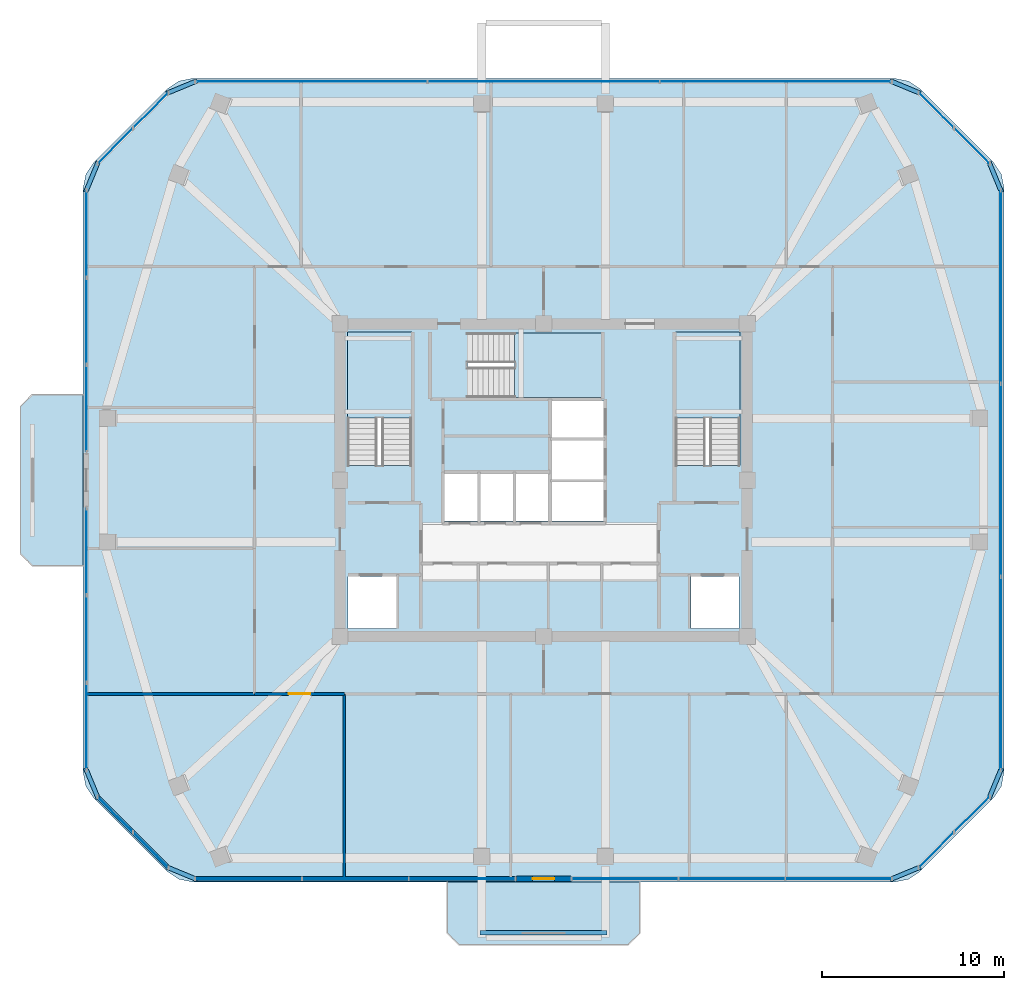
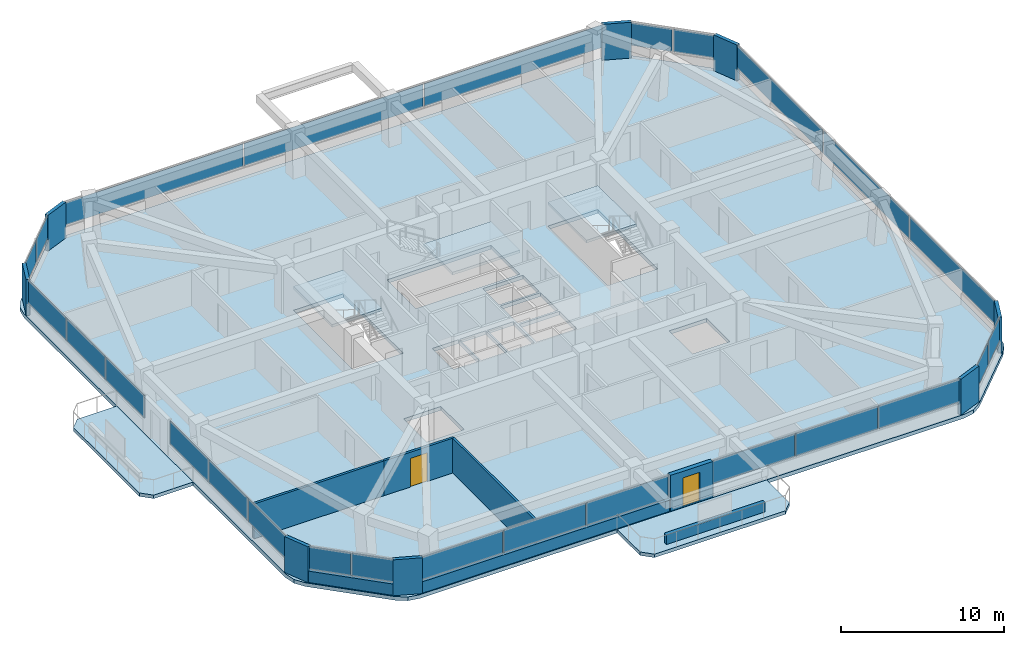
# One storey, part 7 of 13: 34 plates, 7 walls, 6 slabs, 2 doors, 2 openings, 13 elements without a shape of their own.
"""IFC4 building model written with IfcOpenShell, lengths in metres."""

from ifc_helpers import new_model, si_unit, derived_unit, direction, frame, frame_2d, origin, origin_2d, place, context, subcontext, project, spatial, polyline, rectangle, outline, extrude, material, layer, layer_set, type_object, element, fill, aggregate, save


model = new_model("IFC4")

# Units and contexts
model_context = context("Model", 3, precision=1e-05, world=origin(), true_north=direction((0.0, 1.0)))
body_context = subcontext(model_context, "Body", "Model", "MODEL_VIEW")
ifc_project = project(units=[si_unit("LENGTHUNIT", "METRE"), si_unit("AREAUNIT", "SQUARE_METRE"), si_unit("VOLUMEUNIT", "CUBIC_METRE"), si_unit("PLANEANGLEUNIT", "RADIAN"), si_unit("MASSUNIT", "GRAM", prefix="KILO"), derived_unit("THERMALTRANSMITTANCEUNIT", [(si_unit("POWERUNIT", "WATT"), 1), (si_unit("LENGTHUNIT", "METRE"), -2), (si_unit("THERMODYNAMICTEMPERATUREUNIT", "KELVIN"), -1)])], contexts=[model_context])

# Site, building, storey
site_placement = place(None, origin())
site = spatial("IfcSite", under=ifc_project, at=site_placement, CompositionType="ELEMENT")
building_placement = place(site_placement, origin())
building = spatial("IfcBuilding", under=site, at=building_placement, Name="Koralith Skygarden Medical Center", CompositionType="ELEMENT")
storey_placement = place(building_placement, frame((0.0, 0.0, 199.97998046875)))
storey = spatial("IfcBuildingStorey", under=building, at=storey_placement, Name="L51", CompositionType="ELEMENT", Elevation=199.97998046875)

# Curtain wall, plates
ifc_material_1 = material(Name="Clear Laminated Glass", Category="glass")
curtain_wall_type = type_object("IfcCurtainWallType", Name="CW-5 Zone 4 Flare Biophilic Curtain Wall", PredefinedType="NOTDEFINED", material=ifc_material_1)
curtain_wall_1_placement = place(storey_placement, origin())
curtain_wall_1 = element("IfcCurtainWall", 1, at=curtain_wall_1_placement, inside=storey, type_object=curtain_wall_type, Name="Curtain Wall CW-L51-S-L", PredefinedType="NOTDEFINED")
ifc_layer_1 = layer(ifc_material_1, 0.0380859375)
ifc_layer_set_1 = layer_set([ifc_layer_1], Name="Clear Laminated Glass")
plate_type_1 = type_object("IfcPlateType", Name="CW-5 Hurricane Laminated IGU Panel 38", PredefinedType="CURTAIN_PANEL", material=ifc_layer_set_1)
plate_1_placement = place(storey_placement, frame((20.76611328125, 3.97412109375, 0.919921875), z_axis=(0.0, 0.0, 1.0), x_axis=(1.0, 0.0, 0.0)))
plate_1 = element("IfcPlate", 2, at=plate_1_placement, type_object=plate_type_1, Name="CW-L51-S-L Glazed Panel 1", PredefinedType="CURTAIN_PANEL", context=body_context, shape_type="SweptSolid", body=[
    extrude(rectangle(XDim=5.787109375, YDim=0.0380859375, at=origin_2d()), origin(), (0.0, 0.0, 1.0), 1.699951171875),
])
plate_2_placement = place(storey_placement, frame((26.64306640625, 3.97412109375, 0.919921875), z_axis=(0.0, 0.0, 1.0), x_axis=(1.0, 0.0, 0.0)))
plate_2 = element("IfcPlate", 3, at=plate_2_placement, type_object=plate_type_1, Name="CW-L51-S-L Glazed Panel 2", PredefinedType="CURTAIN_PANEL", context=body_context, shape_type="SweptSolid", body=[
    extrude(rectangle(XDim=5.787109375, YDim=0.0380859375, at=origin_2d()), origin(), (0.0, 0.0, 1.0), 1.699951171875),
])
plate_3_placement = place(storey_placement, frame((32.52001953125, 3.97412109375, 0.919921875), z_axis=(0.0, 0.0, 1.0), x_axis=(1.0, 0.0, 0.0)))
plate_3 = element("IfcPlate", 4, at=plate_3_placement, type_object=plate_type_1, Name="CW-L51-S-L Glazed Panel 3", PredefinedType="CURTAIN_PANEL", context=body_context, shape_type="SweptSolid", body=[
    extrude(rectangle(XDim=5.787109375, YDim=0.0380859375, at=origin_2d()), origin(), (0.0, 0.0, 1.0), 1.699951171875),
])
aggregate(curtain_wall_1, [plate_1, plate_2, plate_3])

curtain_wall_2_placement = place(storey_placement, origin())
curtain_wall_2 = element("IfcCurtainWall", 5, at=curtain_wall_2_placement, inside=storey, type_object=curtain_wall_type, Name="Curtain Wall CW-L51-S-R", PredefinedType="NOTDEFINED")
plate_4_placement = place(storey_placement, frame((41.47802734375, 3.97412109375, 0.919921875), z_axis=(0.0, 0.0, 1.0), x_axis=(1.0, 0.0, 0.0)))
plate_4 = element("IfcPlate", 6, at=plate_4_placement, type_object=plate_type_1, Name="CW-L51-S-R Glazed Panel 1", PredefinedType="CURTAIN_PANEL", context=body_context, shape_type="SweptSolid", body=[
    extrude(rectangle(XDim=5.7880859375, YDim=0.0380859375, at=origin_2d()), origin(), (0.0, 0.0, 1.0), 1.699951171875),
])
plate_5_placement = place(storey_placement, frame((47.35595703125, 3.97412109375, 0.919921875), z_axis=(0.0, 0.0, 1.0), x_axis=(1.0, 0.0, 0.0)))
plate_5 = element("IfcPlate", 7, at=plate_5_placement, type_object=plate_type_1, Name="CW-L51-S-R Glazed Panel 2", PredefinedType="CURTAIN_PANEL", context=body_context, shape_type="SweptSolid", body=[
    extrude(rectangle(XDim=5.7880859375, YDim=0.0380859375, at=origin_2d()), origin(), (0.0, 0.0, 1.0), 1.699951171875),
])
plate_6_placement = place(storey_placement, frame((53.23388671875, 3.97412109375, 0.919921875), z_axis=(0.0, 0.0, 1.0), x_axis=(1.0, 0.0, 0.0)))
plate_6 = element("IfcPlate", 8, at=plate_6_placement, type_object=plate_type_1, Name="CW-L51-S-R Glazed Panel 3", PredefinedType="CURTAIN_PANEL", context=body_context, shape_type="SweptSolid", body=[
    extrude(rectangle(XDim=5.7880859375, YDim=0.0380859375, at=origin_2d()), origin(), (0.0, 0.0, 1.0), 1.699951171875),
])
aggregate(curtain_wall_2, [plate_4, plate_5, plate_6])

curtain_wall_3_placement = place(storey_placement, origin())
curtain_wall_3 = element("IfcCurtainWall", 9, at=curtain_wall_3_placement, inside=storey, type_object=curtain_wall_type, Name="Curtain Wall CW-L51-SE", PredefinedType="NOTDEFINED")
plate_7_placement = place(storey_placement, frame((58.60498046875, 5.555908203125, 0.919921875), z_axis=(0.0, 0.0, 1.0), x_axis=(0.707106781187, 0.707106781187, 0.0)))
plate_7 = element("IfcPlate", 10, at=plate_7_placement, type_object=plate_type_1, Name="CW-L51-SE Glazed Panel 1", PredefinedType="CURTAIN_PANEL", context=body_context, shape_type="SweptSolid", body=[
    extrude(rectangle(XDim=2.68408203125, YDim=0.0380859375, at=origin_2d()), origin(), (0.0, 0.0, 1.0), 1.699951171875),
])
plate_8_placement = place(storey_placement, frame((60.56591796875, 7.51708984375, 0.919921875), z_axis=(0.0, 0.0, 1.0), x_axis=(0.707106781187, 0.707106781187, 0.0)))
plate_8 = element("IfcPlate", 11, at=plate_8_placement, type_object=plate_type_1, Name="CW-L51-SE Glazed Panel 2", PredefinedType="CURTAIN_PANEL", context=body_context, shape_type="SweptSolid", body=[
    extrude(rectangle(XDim=2.68408203125, YDim=0.0380859375, at=origin_2d()), origin(), (0.0, 0.0, 1.0), 1.699951171875),
])
aggregate(curtain_wall_3, [plate_7, plate_8])

curtain_wall_4_placement = place(storey_placement, origin())
curtain_wall_4 = element("IfcCurtainWall", 12, at=curtain_wall_4_placement, inside=storey, type_object=curtain_wall_type, Name="Curtain Wall CW-L51-E", PredefinedType="NOTDEFINED")
plate_9_placement = place(storey_placement, frame((62.14794921875, 15.26611328125, 0.919921875), z_axis=(0.0, 0.0, 1.0), x_axis=(0.0, 1.0, 0.0)))
plate_9 = element("IfcPlate", 13, at=plate_9_placement, type_object=plate_type_1, Name="CW-L51-E Glazed Panel 1", PredefinedType="CURTAIN_PANEL", context=body_context, shape_type="SweptSolid", body=[
    extrude(rectangle(XDim=10.5439453125, YDim=0.0380859375, at=origin_2d()), origin(), (0.0, 0.0, 1.0), 1.699951171875),
])
plate_10_placement = place(storey_placement, frame((62.14794921875, 25.89990234375, 0.919921875), z_axis=(0.0, 0.0, 1.0), x_axis=(0.0, 1.0, 0.0)))
plate_10 = element("IfcPlate", 14, at=plate_10_placement, type_object=plate_type_1, Name="CW-L51-E Glazed Panel 2", PredefinedType="CURTAIN_PANEL", context=body_context, shape_type="SweptSolid", body=[
    extrude(rectangle(XDim=10.5439453125, YDim=0.0380859375, at=origin_2d()), origin(), (0.0, 0.0, 1.0), 1.699951171875),
])
plate_11_placement = place(storey_placement, frame((62.14794921875, 36.533935546875, 0.919921875), z_axis=(0.0, 0.0, 1.0), x_axis=(0.0, 1.0, 0.0)))
plate_11 = element("IfcPlate", 15, at=plate_11_placement, type_object=plate_type_1, Name="CW-L51-E Glazed Panel 3", PredefinedType="CURTAIN_PANEL", context=body_context, shape_type="SweptSolid", body=[
    extrude(rectangle(XDim=10.5439453125, YDim=0.0380859375, at=origin_2d()), origin(), (0.0, 0.0, 1.0), 1.699951171875),
])
aggregate(curtain_wall_4, [plate_9, plate_10, plate_11])

curtain_wall_5_placement = place(storey_placement, origin())
curtain_wall_5 = element("IfcCurtainWall", 16, at=curtain_wall_5_placement, inside=storey, type_object=curtain_wall_type, Name="Curtain Wall CW-L51-NE", PredefinedType="NOTDEFINED")
plate_12_placement = place(storey_placement, frame((60.56591796875, 44.282958984375, 0.919921875), z_axis=(0.0, 0.0, 1.0), x_axis=(-0.707106781187, 0.707106781187, 0.0)))
plate_12 = element("IfcPlate", 17, at=plate_12_placement, type_object=plate_type_1, Name="CW-L51-NE Glazed Panel 1", PredefinedType="CURTAIN_PANEL", context=body_context, shape_type="SweptSolid", body=[
    extrude(rectangle(XDim=2.68408203125, YDim=0.0380859375, at=origin_2d()), origin(), (0.0, 0.0, 1.0), 1.699951171875),
])
plate_13_placement = place(storey_placement, frame((58.60498046875, 46.243896484375, 0.919921875), z_axis=(0.0, 0.0, 1.0), x_axis=(-0.707106781187, 0.707106781187, 0.0)))
plate_13 = element("IfcPlate", 18, at=plate_13_placement, type_object=plate_type_1, Name="CW-L51-NE Glazed Panel 2", PredefinedType="CURTAIN_PANEL", context=body_context, shape_type="SweptSolid", body=[
    extrude(rectangle(XDim=2.68408203125, YDim=0.0380859375, at=origin_2d()), origin(), (0.0, 0.0, 1.0), 1.699951171875),
])
aggregate(curtain_wall_5, [plate_12, plate_13])

curtain_wall_6_placement = place(storey_placement, origin())
curtain_wall_6 = element("IfcCurtainWall", 19, at=curtain_wall_6_placement, inside=storey, type_object=curtain_wall_type, Name="Curtain Wall CW-L51-N", PredefinedType="NOTDEFINED")
plate_14_placement = place(storey_placement, frame((49.781982421875, 47.825927734375, 0.919921875), z_axis=(0.0, 0.0, 1.0), x_axis=(-1.0, 0.0, 0.0)))
plate_14 = element("IfcPlate", 20, at=plate_14_placement, type_object=plate_type_1, Name="CW-L51-N Glazed Panel 1", PredefinedType="CURTAIN_PANEL", context=body_context, shape_type="SweptSolid", body=[
    extrude(rectangle(XDim=12.69189453125, YDim=0.0380859375, at=origin_2d()), origin(), (0.0, 0.0, 1.0), 1.699951171875),
])
plate_15_placement = place(storey_placement, frame((37.0, 47.825927734375, 0.919921875), z_axis=(0.0, 0.0, 1.0), x_axis=(-1.0, 0.0, 0.0)))
plate_15 = element("IfcPlate", 21, at=plate_15_placement, type_object=plate_type_1, Name="CW-L51-N Glazed Panel 2", PredefinedType="CURTAIN_PANEL", context=body_context, shape_type="SweptSolid", body=[
    extrude(rectangle(XDim=12.69189453125, YDim=0.0380859375, at=origin_2d()), origin(), (0.0, 0.0, 1.0), 1.699951171875),
])
plate_16_placement = place(storey_placement, frame((24.218017578125, 47.825927734375, 0.919921875), z_axis=(0.0, 0.0, 1.0), x_axis=(-1.0, 0.0, 0.0)))
plate_16 = element("IfcPlate", 22, at=plate_16_placement, type_object=plate_type_1, Name="CW-L51-N Glazed Panel 3", PredefinedType="CURTAIN_PANEL", context=body_context, shape_type="SweptSolid", body=[
    extrude(rectangle(XDim=12.69189453125, YDim=0.0380859375, at=origin_2d()), origin(), (0.0, 0.0, 1.0), 1.699951171875),
])
aggregate(curtain_wall_6, [plate_14, plate_15, plate_16])

curtain_wall_7_placement = place(storey_placement, origin())
curtain_wall_7 = element("IfcCurtainWall", 23, at=curtain_wall_7_placement, inside=storey, type_object=curtain_wall_type, Name="Curtain Wall CW-L51-NW", PredefinedType="NOTDEFINED")
plate_17_placement = place(storey_placement, frame((15.39501953125, 46.243896484375, 0.919921875), z_axis=(0.0, 0.0, 1.0), x_axis=(-0.707106781187, -0.707106781187, 0.0)))
plate_17 = element("IfcPlate", 24, at=plate_17_placement, type_object=plate_type_1, Name="CW-L51-NW Glazed Panel 1", PredefinedType="CURTAIN_PANEL", context=body_context, shape_type="SweptSolid", body=[
    extrude(rectangle(XDim=2.68408203125, YDim=0.0380859375, at=origin_2d()), origin(), (0.0, 0.0, 1.0), 1.699951171875),
])
plate_18_placement = place(storey_placement, frame((13.43408203125, 44.282958984375, 0.919921875), z_axis=(0.0, 0.0, 1.0), x_axis=(-0.707106781187, -0.707106781187, 0.0)))
plate_18 = element("IfcPlate", 25, at=plate_18_placement, type_object=plate_type_1, Name="CW-L51-NW Glazed Panel 2", PredefinedType="CURTAIN_PANEL", context=body_context, shape_type="SweptSolid", body=[
    extrude(rectangle(XDim=2.68408203125, YDim=0.0380859375, at=origin_2d()), origin(), (0.0, 0.0, 1.0), 1.699951171875),
])
aggregate(curtain_wall_7, [plate_17, plate_18])

curtain_wall_8_placement = place(storey_placement, origin())
curtain_wall_8 = element("IfcCurtainWall", 26, at=curtain_wall_8_placement, inside=storey, type_object=curtain_wall_type, Name="Curtain Wall CW-L51-W-L", PredefinedType="NOTDEFINED")
plate_19_placement = place(storey_placement, frame((11.85205078125, 39.448974609375, 0.919921875), z_axis=(0.0, 0.0, 1.0), x_axis=(0.0, -1.0, 0.0)))
plate_19 = element("IfcPlate", 27, at=plate_19_placement, type_object=plate_type_1, Name="CW-L51-W-L Glazed Panel 1", PredefinedType="CURTAIN_PANEL", context=body_context, shape_type="SweptSolid", body=[
    extrude(rectangle(XDim=4.712890625, YDim=0.0380859375, at=origin_2d()), origin(), (0.0, 0.0, 1.0), 1.699951171875),
])
plate_20_placement = place(storey_placement, frame((11.85205078125, 34.64599609375, 0.919921875), z_axis=(0.0, 0.0, 1.0), x_axis=(0.0, -1.0, 0.0)))
plate_20 = element("IfcPlate", 28, at=plate_20_placement, type_object=plate_type_1, Name="CW-L51-W-L Glazed Panel 2", PredefinedType="CURTAIN_PANEL", context=body_context, shape_type="SweptSolid", body=[
    extrude(rectangle(XDim=4.712890625, YDim=0.0380859375, at=origin_2d()), origin(), (0.0, 0.0, 1.0), 1.699951171875),
])
plate_21_placement = place(storey_placement, frame((11.85205078125, 29.843017578125, 0.919921875), z_axis=(0.0, 0.0, 1.0), x_axis=(0.0, -1.0, 0.0)))
plate_21 = element("IfcPlate", 29, at=plate_21_placement, type_object=plate_type_1, Name="CW-L51-W-L Glazed Panel 3", PredefinedType="CURTAIN_PANEL", context=body_context, shape_type="SweptSolid", body=[
    extrude(rectangle(XDim=4.712890625, YDim=0.0380859375, at=origin_2d()), origin(), (0.0, 0.0, 1.0), 1.699951171875),
])
aggregate(curtain_wall_8, [plate_19, plate_20, plate_21])

curtain_wall_9_placement = place(storey_placement, origin())
curtain_wall_9 = element("IfcCurtainWall", 30, at=curtain_wall_9_placement, inside=storey, type_object=curtain_wall_type, Name="Curtain Wall CW-L51-W-R", PredefinedType="NOTDEFINED")
plate_22_placement = place(storey_placement, frame((11.85205078125, 21.958984375, 0.919921875), z_axis=(0.0, 0.0, 1.0), x_axis=(0.0, -1.0, 0.0)))
plate_22 = element("IfcPlate", 31, at=plate_22_placement, type_object=plate_type_1, Name="CW-L51-W-R Glazed Panel 1", PredefinedType="CURTAIN_PANEL", context=body_context, shape_type="SweptSolid", body=[
    extrude(rectangle(XDim=4.714111328125, YDim=0.0380859375, at=origin_2d()), origin(), (0.0, 0.0, 1.0), 1.699951171875),
])
plate_23_placement = place(storey_placement, frame((11.85205078125, 17.155029296875, 0.919921875), z_axis=(0.0, 0.0, 1.0), x_axis=(0.0, -1.0, 0.0)))
plate_23 = element("IfcPlate", 32, at=plate_23_placement, type_object=plate_type_1, Name="CW-L51-W-R Glazed Panel 2", PredefinedType="CURTAIN_PANEL", context=body_context, shape_type="SweptSolid", body=[
    extrude(rectangle(XDim=4.714111328125, YDim=0.0380859375, at=origin_2d()), origin(), (0.0, 0.0, 1.0), 1.699951171875),
])
plate_24_placement = place(storey_placement, frame((11.85205078125, 12.35107421875, 0.919921875), z_axis=(0.0, 0.0, 1.0), x_axis=(0.0, -1.0, 0.0)))
plate_24 = element("IfcPlate", 33, at=plate_24_placement, type_object=plate_type_1, Name="CW-L51-W-R Glazed Panel 3", PredefinedType="CURTAIN_PANEL", context=body_context, shape_type="SweptSolid", body=[
    extrude(rectangle(XDim=4.714111328125, YDim=0.0380859375, at=origin_2d()), origin(), (0.0, 0.0, 1.0), 1.699951171875),
])
aggregate(curtain_wall_9, [plate_22, plate_23, plate_24])

curtain_wall_10_placement = place(storey_placement, origin())
curtain_wall_10 = element("IfcCurtainWall", 34, at=curtain_wall_10_placement, inside=storey, type_object=curtain_wall_type, Name="Curtain Wall CW-L51-SW", PredefinedType="NOTDEFINED")
plate_25_placement = place(storey_placement, frame((13.43408203125, 7.51708984375, 0.919921875), z_axis=(0.0, 0.0, 1.0), x_axis=(0.707106781187, -0.707106781187, 0.0)))
plate_25 = element("IfcPlate", 35, at=plate_25_placement, type_object=plate_type_1, Name="CW-L51-SW Glazed Panel 1", PredefinedType="CURTAIN_PANEL", context=body_context, shape_type="SweptSolid", body=[
    extrude(rectangle(XDim=2.68408203125, YDim=0.0380859375, at=origin_2d()), origin(), (0.0, 0.0, 1.0), 1.699951171875),
])
plate_26_placement = place(storey_placement, frame((15.39501953125, 5.555908203125, 0.919921875), z_axis=(0.0, 0.0, 1.0), x_axis=(0.707106781187, -0.707106781187, 0.0)))
plate_26 = element("IfcPlate", 36, at=plate_26_placement, type_object=plate_type_1, Name="CW-L51-SW Glazed Panel 2", PredefinedType="CURTAIN_PANEL", context=body_context, shape_type="SweptSolid", body=[
    extrude(rectangle(XDim=2.68408203125, YDim=0.0380859375, at=origin_2d()), origin(), (0.0, 0.0, 1.0), 1.699951171875),
])
aggregate(curtain_wall_10, [plate_25, plate_26])

# Slabs
ifc_material_2 = material(Name="Concrete C45/55", Category="concrete")
ifc_layer_2 = layer(ifc_material_2, 0.260009765625)
ifc_layer_set_2 = layer_set([ifc_layer_2], Name="Concrete C45/55")
slab_type_1 = type_object("IfcSlabType", Name="Cantilevered Planted Balcony Slab 260", PredefinedType="FLOOR", material=ifc_layer_set_2)
slab_1_placement = place(storey_placement, frame((0.0, 0.0, -0.260009765625)))
element("IfcSlab", 37, at=slab_1_placement, inside=storey, type_object=slab_type_1, Name="L51 S Planted Sky-Garden Balcony Slab", PredefinedType="FLOOR", context=body_context, shape_type="SweptSolid", body=[
    extrude(outline(polyline([(32.35009765625, 0.343994140625), (41.64990234375, 0.343994140625), (42.300048828125, 0.993896484375), (42.300048828125, 3.7939453125), (31.699951171875, 3.7939453125), (31.699951171875, 0.993896484375), (32.35009765625, 0.343994140625)])), origin(), (0.0, 0.0, 1.0), 0.260009765625),
])
slab_2_placement = place(storey_placement, frame((0.0, 0.0, -0.260009765625)))
element("IfcSlab", 38, at=slab_2_placement, inside=storey, type_object=slab_type_1, Name="L51 W Planted Sky-Garden Balcony Slab", PredefinedType="FLOOR", context=body_context, shape_type="SweptSolid", body=[
    extrude(outline(polyline([(8.8720703125, 21.199951171875), (11.672119140625, 21.199951171875), (11.672119140625, 30.60009765625), (8.8720703125, 30.60009765625), (8.221923828125, 29.949951171875), (8.221923828125, 21.85009765625), (8.8720703125, 21.199951171875)])), origin(), (0.0, 0.0, 1.0), 0.260009765625),
])

# Stair, slab
stair_type = type_object("IfcStairType", Name="Core Exit Dogleg Concrete Stair", PredefinedType="HALF_TURN_STAIR", material=ifc_material_2)
stair_1_placement = place(storey_placement, origin())
stair_1 = element("IfcStair", 39, at=stair_1_placement, inside=storey, type_object=stair_type, Name="L51 Smokeproof Exit Stair ST1", PredefinedType="HALF_TURN_STAIR")
ifc_layer_3 = layer(ifc_material_2, 0.199951171875)
ifc_layer_set_3 = layer_set([ifc_layer_3], Name="Concrete C45/55")
slab_type_2 = type_object("IfcSlabType", Name="Core Exit Concrete Stair Landing 200", PredefinedType="LANDING", material=ifc_layer_set_3)
slab_3_placement = place(storey_placement, frame((0.0, 0.0, 1.60009765625)))
slab_3 = element("IfcSlab", 40, at=slab_3_placement, type_object=slab_type_2, Name="ST1 landing 1", PredefinedType="LANDING", context=body_context, shape_type="SweptSolid", body=[
    extrude(outline(polyline([(29.75, 29.31005859375), (29.75, 34.050048828125), (26.199951171875, 34.050048828125), (26.199951171875, 29.31005859375), (29.75, 29.31005859375)])), origin(), (0.0, 0.0, 1.0), 0.199951171875),
])
aggregate(stair_1, [slab_3])

stair_2_placement = place(storey_placement, origin())
stair_2 = element("IfcStair", 41, at=stair_2_placement, inside=storey, type_object=stair_type, Name="L51 Smokeproof Exit Stair ST2", PredefinedType="HALF_TURN_STAIR")
slab_4_placement = place(storey_placement, frame((0.0, 0.0, 1.60009765625)))
slab_4 = element("IfcSlab", 42, at=slab_4_placement, type_object=slab_type_2, Name="ST2 landing 1", PredefinedType="LANDING", context=body_context, shape_type="SweptSolid", body=[
    extrude(outline(polyline([(47.800048828125, 29.31005859375), (47.800048828125, 34.050048828125), (44.25, 34.050048828125), (44.25, 29.31005859375), (47.800048828125, 29.31005859375)])), origin(), (0.0, 0.0, 1.0), 0.199951171875),
])
aggregate(stair_2, [slab_4])

stair_3_placement = place(storey_placement, origin())
stair_3 = element("IfcStair", 43, at=stair_3_placement, inside=storey, type_object=stair_type, Name="L51 Smokeproof Exit Stair ST3", PredefinedType="HALF_TURN_STAIR")
slab_5_placement = place(storey_placement, frame((0.0, 0.0, 1.60009765625)))
slab_5 = element("IfcSlab", 44, at=slab_5_placement, type_object=slab_type_2, Name="ST3 landing 1", PredefinedType="LANDING", context=body_context, shape_type="SweptSolid", body=[
    extrude(outline(polyline([(35.409912109375, 30.449951171875), (40.199951171875, 30.449951171875), (40.199951171875, 34.0), (35.409912109375, 34.0), (35.409912109375, 30.449951171875)])), origin(), (0.0, 0.0, 1.0), 0.199951171875),
])
aggregate(stair_3, [slab_5])

# Slab
ifc_layer_4 = layer(ifc_material_2, 0.280029296875)
ifc_layer_set_4 = layer_set([ifc_layer_4], Name="Concrete C45/55")
slab_type_3 = type_object("IfcSlabType", Name="Post-Tensioned Ward Floor Plate 280", PredefinedType="FLOOR", material=ifc_layer_set_4)
slab_6_placement = place(storey_placement, frame((0.0, 0.0, -0.280029296875)))
element("IfcSlab", 45, at=slab_6_placement, inside=storey, type_object=slab_type_3, Name="Level L51 Structural Floor Slab", PredefinedType="FLOOR", context=body_context, shape_type="SweptSolid", body=[
    extrude(outline(polyline([(16.285888671875, 4.3798828125), (16.93505859375, 3.946044921875), (17.699951171875, 3.7939453125), (56.300048828125, 3.7939453125), (57.06494140625, 3.946044921875), (57.714111328125, 4.3798828125), (61.741943359375, 8.407958984375), (62.176025390625, 9.056884765625), (62.327880859375, 9.822021484375), (62.327880859375, 41.97802734375), (62.176025390625, 42.742919921875), (61.741943359375, 43.39208984375), (57.714111328125, 47.419921875), (57.06494140625, 47.85400390625), (56.300048828125, 48.006103515625), (17.699951171875, 48.006103515625), (16.93505859375, 47.85400390625), (16.285888671875, 47.419921875), (12.258056640625, 43.39208984375), (11.823974609375, 42.742919921875), (11.672119140625, 41.97802734375), (11.672119140625, 9.822021484375), (11.823974609375, 9.056884765625), (12.258056640625, 8.407958984375), (16.285888671875, 4.3798828125)]), holes=[polyline([(26.199951171875, 26.705078125), (29.75, 26.705078125), (29.75, 34.050048828125), (26.199951171875, 34.050048828125), (26.199951171875, 26.705078125)]), polyline([(44.25, 26.705078125), (47.800048828125, 26.705078125), (47.800048828125, 34.050048828125), (44.25, 34.050048828125), (44.25, 26.705078125)]), polyline([(32.804931640625, 30.449951171875), (40.199951171875, 30.449951171875), (40.199951171875, 34.0), (32.804931640625, 34.0), (32.804931640625, 30.449951171875)]), polyline([(26.25, 17.75), (28.89990234375, 17.75), (28.89990234375, 20.60009765625), (26.25, 20.60009765625), (26.25, 17.75)]), polyline([(45.10009765625, 17.75), (47.75, 17.75), (47.75, 20.60009765625), (45.10009765625, 20.60009765625), (45.10009765625, 17.75)]), polyline([(31.550048828125, 23.64990234375), (33.39990234375, 23.64990234375), (33.39990234375, 26.25), (31.550048828125, 26.25), (31.550048828125, 23.64990234375)]), polyline([(33.5, 23.64990234375), (35.35009765625, 23.64990234375), (35.35009765625, 26.25), (33.5, 26.25), (33.5, 23.64990234375)]), polyline([(35.449951171875, 23.64990234375), (37.300048828125, 23.64990234375), (37.300048828125, 26.25), (35.449951171875, 26.25), (35.449951171875, 23.64990234375)]), polyline([(37.449951171875, 23.64990234375), (40.300048828125, 23.64990234375), (40.300048828125, 25.800048828125), (37.449951171875, 25.800048828125), (37.449951171875, 23.64990234375)]), polyline([(37.449951171875, 25.949951171875), (40.300048828125, 25.949951171875), (40.300048828125, 28.10009765625), (37.449951171875, 28.10009765625), (37.449951171875, 25.949951171875)]), polyline([(37.449951171875, 28.25), (40.300048828125, 28.25), (40.300048828125, 30.25), (37.449951171875, 30.25), (37.449951171875, 28.25)])]), origin(), (0.0, 0.0, 1.0), 0.280029296875),
])

# Plates
ifc_material_3 = material(Name="Warm Oolitic Limestone Cladding", Category="masonry")
ifc_layer_5 = layer(ifc_material_3, 0.239990234375)
ifc_layer_set_5 = layer_set([ifc_layer_5], Name="Warm Oolitic Limestone Cladding")
plate_type_2 = type_object("IfcPlateType", Name="Rounded-Corner Oolitic Limestone Cladding Panel 240", PredefinedType="USERDEFINED", material=ifc_layer_set_5)
for number, where, z_axis, x_axis, name in (
    (46, (56.89794921875, 4.27392578125, 0.0), (0.0, 0.0, 1.0), (0.92388487569, 0.382670532536, 0.0), "L51 Rounded-Corner Limestone Pier 1"),
    (47, (61.846923828125, 9.222900390625, 0.0), (0.0, 0.0, 1.0), (0.382670532536, 0.92388487569, 0.0), "L51 Rounded-Corner Limestone Pier 2"),
    (48, (61.846923828125, 42.575927734375, 0.0), (0.0, 0.0, 1.0), (-0.382670532536, 0.92388487569, 0.0), "L51 Rounded-Corner Limestone Pier 3"),
    (49, (56.89794921875, 47.52587890625, 0.0), (0.0, 0.0, 1.0), (-0.92388487569, 0.382670532536, 0.0), "L51 Rounded-Corner Limestone Pier 4"),
    (50, (17.10205078125, 47.52587890625, 0.0), (0.0, 0.0, 1.0), (-0.92388487569, -0.382670532536, 0.0), "L51 Rounded-Corner Limestone Pier 5"),
    (51, (12.152099609375, 42.575927734375, 0.0), (0.0, 0.0, 1.0), (-0.382670532536, -0.92388487569, 0.0), "L51 Rounded-Corner Limestone Pier 6"),
    (52, (12.152099609375, 9.222900390625, 0.0), (0.0, 0.0, 1.0), (0.382670532536, -0.92388487569, 0.0), "L51 Rounded-Corner Limestone Pier 7"),
    (53, (17.10205078125, 4.27392578125, 0.0), (0.0, 0.0, 1.0), (0.92388487569, -0.382670532536, 0.0), "L51 Rounded-Corner Limestone Pier 8"),
):
    element("IfcPlate", number, at=place(storey_placement, frame(where, z_axis=z_axis, x_axis=x_axis)), inside=storey, type_object=plate_type_2, Name=name, ObjectType="LIMESTONE CLADDING", PredefinedType="USERDEFINED", context=body_context, shape_type="SweptSolid", body=[
        extrude(rectangle(XDim=1.81103515625, YDim=0.239990234375, at=origin_2d()), origin(), (0.0, 0.0, 1.0), 2.68994140625),
    ])

# Walls
ifc_material_4 = material(Name="Gypsum Board Partition")
ifc_layer_6 = layer(ifc_material_4, 0.14990234375)
ifc_layer_set_6 = layer_set([ifc_layer_6], Name="Gypsum Board Partition")
wall_type_1 = type_object("IfcWallType", Name="Clinical Acoustic Partition 150", PredefinedType="PARTITIONING", material=ifc_layer_set_6)
wall_1_placement = place(storey_placement, frame((26.035888671875, 14.14990234375, 0.0), z_axis=(0.0, 0.0, 1.0), x_axis=(0.0, -1.0, 0.0)))
element("IfcWall", 54, at=wall_1_placement, inside=storey, type_object=wall_type_1, Name="L51 Clinical Acoustic Partition 150 W-PART-L51-S-01", PredefinedType="PARTITIONING", context=body_context, shape_type="SweptSolid", body=[
    extrude(rectangle(XDim=10.156005859375, YDim=0.14990234375, at=frame_2d((5.078125, 0.0))), origin(), (0.0, 0.0, 1.0), 2.610107421875),
])
ifc_layer_7 = layer(ifc_material_4, 0.1650390625)
ifc_layer_set_7 = layer_set([ifc_layer_7], Name="Gypsum Board Partition")
wall_type_2 = type_object("IfcWallType", Name="Clinical Corridor Partition 165", PredefinedType="PARTITIONING", material=ifc_layer_set_7)
wall_2_placement = place(storey_placement, frame((11.8720703125, 14.14990234375, 0.0), z_axis=(0.0, 0.0, 1.0), x_axis=(1.0, 0.0, 0.0)))
element("IfcWall", 55, at=wall_2_placement, inside=storey, type_object=wall_type_2, Name="L51 Clinical Corridor Partition 165 W-WB-L51-SW", PredefinedType="PARTITIONING", context=body_context, shape_type="SweptSolid", body=[
    extrude(rectangle(XDim=9.22802734375, YDim=0.1650390625, at=frame_2d((4.614013671875, 0.0))), origin(), (0.0, 0.0, 1.0), 2.610107421875),
])

# Wall, opening, door
wall_3_placement = place(storey_placement, frame((21.10009765625, 14.14990234375, 0.0), z_axis=(0.0, 0.0, 1.0), x_axis=(1.0, 0.0, 0.0)))
wall_3 = element("IfcWall", 56, at=wall_3_placement, inside=storey, type_object=wall_type_2, Name="L51 Clinical Corridor Partition 165 W-CORR-L51-S-01", PredefinedType="PARTITIONING", context=body_context, shape_type="SweptSolid", body=[
    extrude(rectangle(XDim=4.935791015625, YDim=0.1650390625, at=frame_2d((2.4677734375, 0.0))), origin(), (0.0, 0.0, 1.0), 2.610107421875),
])
opening_1_placement = place(wall_3_placement, frame((1.867919921875, 0.0, 0.0)))
opening_1 = element("IfcOpeningElement", 57, at=opening_1_placement, cuts=wall_3, Name="Opening D-CLN", PredefinedType="OPENING", context=body_context, shape_type="SweptSolid", body=[
    extrude(rectangle(XDim=1.199951171875, YDim=2.14990234375, at=frame_2d((0.60009765625, 1.074951171875))), frame((0.0, 0.092529296875, 0.0), z_axis=(0.0, -1.0, 0.0), x_axis=(1.0, 0.0, 0.0)), (0.0, 0.0, 1.0), 0.18505859375),
])
ifc_material_5 = material(Name="Aluminium 6063-T6", Category="aluminium")
door_type_1 = type_object("IfcDoorType", Name="Clinical Corridor Door D-CLN 1200", OperationType="NOTDEFINED", PredefinedType="DOOR", material=ifc_material_5)
door_1_placement = place(opening_1_placement, frame((1.199951171875, 0.0, 0.0), z_axis=(0.0, 0.0, 1.0), x_axis=(-1.0, 0.0, 0.0)))
door_1 = element("IfcDoor", 58, at=door_1_placement, inside=storey, type_object=door_type_1, Name="L51 Pacemaker Interrogation Exam Room 06 Door", OperationType="SINGLE_SWING_LEFT", OverallHeight=2.14990234375, OverallWidth=1.199951171875, PredefinedType="DOOR", context=body_context, shape_type="SweptSolid", body=[
    extrude(rectangle(XDim=1.199951171875, YDim=2.14990234375, at=frame_2d((0.60009765625, 1.074951171875))), frame((0.0, 0.02490234375, 0.0), z_axis=(0.0, -1.0, 0.0), x_axis=(1.0, 0.0, 0.0)), (0.0, 0.0, 1.0), 0.050048828125),
])
fill(opening_1, door_1)

# Walls
ifc_layer_8 = layer(ifc_material_3, 0.239990234375)
ifc_layer_set_8 = layer_set([ifc_layer_8], Name="Warm Oolitic Limestone Cladding")
wall_type_3 = type_object("IfcWallType", Name="Limestone Spandrel Sill Backup Wall 240", PredefinedType="SOLIDWALL", material=ifc_layer_set_8)
wall_4_placement = place(storey_placement, frame((17.826904296875, 3.97412109375, 0.0), z_axis=(0.0, 0.0, 1.0), x_axis=(1.0, 0.0, 0.0)))
element("IfcWall", 59, at=wall_4_placement, inside=storey, type_object=wall_type_3, Name="L51 Sill Spandrel S-L", PredefinedType="SOLIDWALL", context=body_context, shape_type="SweptSolid", body=[
    extrude(rectangle(XDim=17.632080078125, YDim=0.239990234375, at=frame_2d((8.81591796875, 0.0))), origin(), (0.0, 0.0, 1.0), 0.85009765625),
])
wall_5_placement = place(storey_placement, frame((12.452880859375, 8.498046875, 0.0), z_axis=(0.0, 0.0, 1.0), x_axis=(0.707106781187, -0.707106781187, 0.0)))
element("IfcWall", 60, at=wall_5_placement, inside=storey, type_object=wall_type_3, Name="L51 Sill Spandrel SW", PredefinedType="SOLIDWALL", context=body_context, shape_type="SweptSolid", body=[
    extrude(rectangle(XDim=5.548095703125, YDim=0.239990234375, at=frame_2d((2.77392578125, 0.0))), origin(), (0.0, 0.0, 1.0), 0.85009765625),
])

# Wall, opening, door
ifc_layer_9 = layer(ifc_material_3, 0.300048828125)
ifc_layer_set_9 = layer_set([ifc_layer_9], Name="Warm Oolitic Limestone Cladding")
wall_type_4 = type_object("IfcWallType", Name="Oolitic Limestone Insulated Facade Wall 300", PredefinedType="SOLIDWALL", material=ifc_layer_set_9)
wall_6_placement = place(storey_placement, frame((35.4990234375, 3.97412109375, 0.0), z_axis=(0.0, 0.0, 1.0), x_axis=(1.0, 0.0, 0.0)))
wall_6 = element("IfcWall", 61, at=wall_6_placement, inside=storey, type_object=wall_type_4, Name="L51 Terrace Portal Wall S", PredefinedType="SOLIDWALL", context=body_context, shape_type="SweptSolid", body=[
    extrude(rectangle(XDim=3.0, YDim=0.300048828125, at=frame_2d((1.5, 0.0))), origin(), (0.0, 0.0, 1.0), 2.68994140625),
])
opening_2_placement = place(wall_6_placement, frame((0.89990234375, 0.0, 0.0)))
opening_2 = element("IfcOpeningElement", 62, at=opening_2_placement, cuts=wall_6, Name="Opening D-BAL", PredefinedType="OPENING", context=body_context, shape_type="SweptSolid", body=[
    extrude(rectangle(XDim=1.199951171875, YDim=2.199951171875, at=frame_2d((0.60009765625, 1.10009765625))), frame((0.0, 0.159912109375, 0.0), z_axis=(0.0, -1.0, 0.0), x_axis=(1.0, 0.0, 0.0)), (0.0, 0.0, 1.0), 0.320068359375),
])
door_type_2 = type_object("IfcDoorType", Name="Planted Balcony Glazed Terrace Door D-BAL 1200", OperationType="NOTDEFINED", PredefinedType="DOOR", material=ifc_material_5)
door_2_placement = place(opening_2_placement, origin())
door_2 = element("IfcDoor", 63, at=door_2_placement, inside=storey, type_object=door_type_2, Name="L51 S Outdoor Terrace Access Door", OperationType="SINGLE_SWING_RIGHT", OverallHeight=2.199951171875, OverallWidth=1.199951171875, PredefinedType="DOOR", context=body_context, shape_type="SweptSolid", body=[
    extrude(rectangle(XDim=1.199951171875, YDim=2.199951171875, at=frame_2d((0.60009765625, 1.10009765625))), frame((0.0, 0.02490234375, 0.0), z_axis=(0.0, -1.0, 0.0), x_axis=(1.0, 0.0, 0.0)), (0.0, 0.0, 1.0), 0.050048828125),
])
fill(opening_2, door_2)

# Wall
ifc_material_6 = material(Name="Precast concrete C40/50", Category="concrete")
ifc_layer_10 = layer(ifc_material_6, 0.25)
ifc_layer_set_10 = layer_set([ifc_layer_10], Name="Precast concrete C40/50")
wall_type_5 = type_object("IfcWallType", Name="Structural Concrete Balcony Planter Kerb 250", PredefinedType="PARAPET", material=ifc_layer_set_10)
wall_7_placement = place(storey_placement, frame((33.5, 0.993896484375, 0.0), z_axis=(0.0, 0.0, 1.0), x_axis=(1.0, 0.0, 0.0)))
element("IfcWall", 64, at=wall_7_placement, inside=storey, type_object=wall_type_5, Name="L51 S Structural Tree PLANTER Box", PredefinedType="PARAPET", context=body_context, shape_type="SweptSolid", body=[
    extrude(rectangle(XDim=7.0, YDim=0.25, at=frame_2d((3.5, 0.0))), origin(), (0.0, 0.0, 1.0), 0.719970703125),
])

save(model, "model.ifc")
